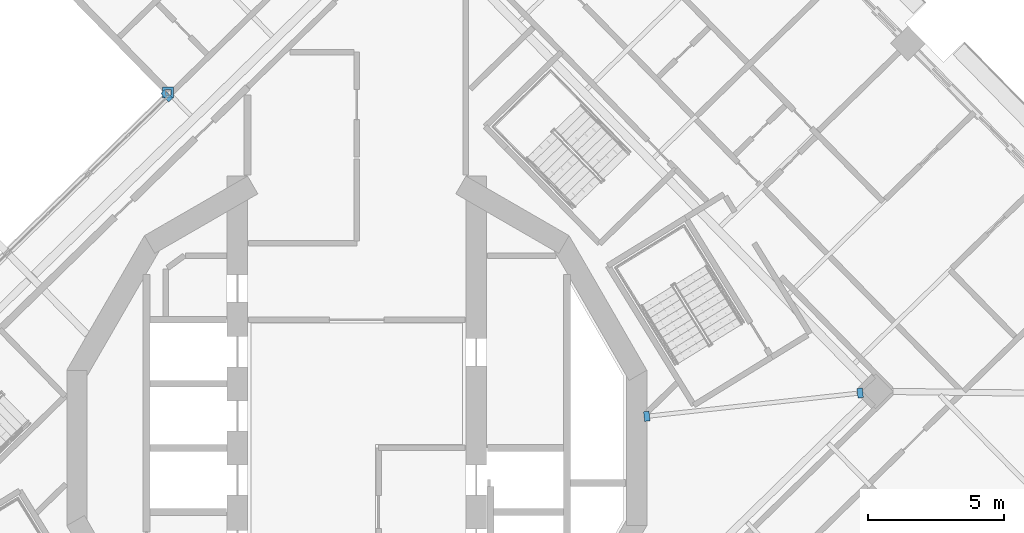
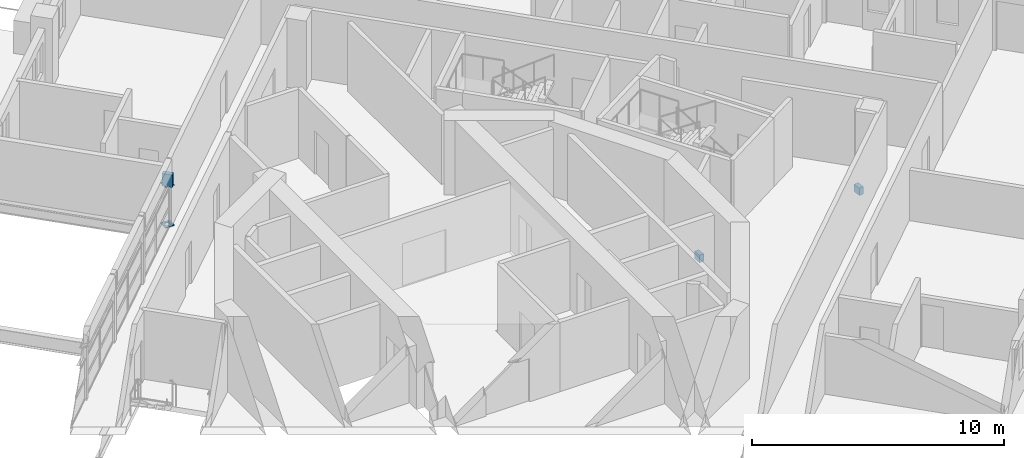
# One storey, part 15 of 21: 5 discrete accessories.
"""IFC4 building model written with IfcOpenShell, lengths in metres."""

import ifcopenshell
import ifcopenshell.guid

model = None  # the IFC model being written
_history = None  # IfcOwnerHistory: only IFC2X3 demands one
_inside = {}  # id of a spatial element -> (the spatial element, [elements in it])
_under = {}  # id of a project, library or spatial element -> (it, [spatial elements below it])
_declared = {}  # id of a project -> (the project, [libraries it declares])
_typed = {}  # id of a type object -> (the type object, [elements of that type])
_made_of = {}  # id of a material, layer set ... -> (it, [elements and type objects made of it])


def new_model(schema):
    """Start an empty IFC model of exactly this schema.

    Asked for "IFC4X3", IfcOpenShell would pick the latest addendum, in which some entities
    have other attributes; the version numbers below select the first issue.
    IFC2X3 requires an IfcOwnerHistory on every rooted entity: one is made here for all.
    """
    global model, _history
    if schema == "IFC4X3":
        model = ifcopenshell.file(schema_version=(4, 3, 0, 0))
    else:
        model = ifcopenshell.file(schema=schema)
    _inside.clear()
    _under.clear()
    _declared.clear()
    _typed.clear()
    _made_of.clear()
    _history = None
    if model.schema == "IFC2X3":
        org = make("IfcOrganization", Name="unknown")
        user = make(
            "IfcPersonAndOrganization",
            ThePerson=make("IfcPerson", FamilyName="unknown"),
            TheOrganization=org,
        )
        app = make(
            "IfcApplication",
            ApplicationDeveloper=org,
            Version="unknown",
            ApplicationFullName="unknown",
            ApplicationIdentifier="unknown",
        )
        _history = make(
            "IfcOwnerHistory",
            OwningUser=user,
            OwningApplication=app,
            ChangeAction="ADDED",
            CreationDate=0,
        )
    return model


def make(cls, **values):
    """One entity of the class cls with the attributes given. An attribute that is None is left unset."""
    return model.create_entity(
        cls, **{name: value for name, value in values.items() if value is not None}
    )


def rooted(cls, **values):
    """An entity with a GlobalId (a new one), such as an element, a storey or a relation."""
    return make(cls, GlobalId=ifcopenshell.guid.new(), OwnerHistory=_history, **values)


def si_unit(unit_type, name, prefix=None):
    """IfcSIUnit, for example si_unit("LENGTHUNIT", "METRE", prefix="MILLI")."""
    return make("IfcSIUnit", UnitType=unit_type, Prefix=prefix, Name=name)


def assignment(units):
    """IfcUnitAssignment: the units of a project."""
    return None if units is None else make("IfcUnitAssignment", Units=units)


def point(xyz):
    """IfcCartesianPoint."""
    return None if xyz is None else make("IfcCartesianPoint", Coordinates=xyz)


def direction(xyz):
    """IfcDirection."""
    return None if xyz is None else make("IfcDirection", DirectionRatios=xyz)


def frame(location, z_axis=None, x_axis=None):
    """IfcAxis2Placement3D, a coordinate frame: its origin and axes. An axis left out is left unset."""
    return make(
        "IfcAxis2Placement3D",
        Location=point(location),
        Axis=direction(z_axis),
        RefDirection=direction(x_axis),
    )


def origin():
    """The frame at (0, 0, 0) with its axes left unset."""
    return frame((0.0, 0.0, 0.0))


def place(relative_to, where):
    """IfcLocalPlacement: puts the frame where relative to a parent placement (None: the world)."""
    return make(
        "IfcLocalPlacement", PlacementRelTo=relative_to, RelativePlacement=where
    )


def context(
    kind, dimensions, precision=None, world=None, true_north=None, identifier=None
):
    """IfcGeometricRepresentationContext, for example the 3D "Model" context."""
    return make(
        "IfcGeometricRepresentationContext",
        ContextIdentifier=identifier,
        ContextType=kind,
        CoordinateSpaceDimension=dimensions,
        Precision=precision,
        WorldCoordinateSystem=world,
        TrueNorth=true_north,
    )


def subcontext(parent, identifier, kind, view, scale=None):
    """IfcGeometricRepresentationSubContext, for example "Body" below "Model"."""
    return make(
        "IfcGeometricRepresentationSubContext",
        ContextIdentifier=identifier,
        ContextType=kind,
        ParentContext=parent,
        TargetScale=scale,
        TargetView=view,
    )


def project(units=None, contexts=None):
    """IfcProject with its units and contexts."""
    return rooted(
        "IfcProject",
        Name="project",
        RepresentationContexts=contexts,
        UnitsInContext=assignment(units),
    )


def spatial(cls, under=None, at=None, **own):
    """A site, building, storey or space (cls), placed at a placement, below another one or the project."""
    s = rooted(cls, ObjectPlacement=at, **own)
    if under is not None:
        _under.setdefault(under.id(), (under, []))[1].append(s)
    return s


def polyline(points):
    """IfcPolyline through the points."""
    return make("IfcPolyline", Points=[point(p) for p in points])


def outline(outer, holes=None, kind="AREA"):
    """IfcArbitraryClosedProfileDef: a profile drawn as a closed curve; with holes, ...WithVoids."""
    if holes is None:
        return make("IfcArbitraryClosedProfileDef", ProfileType=kind, OuterCurve=outer)
    return make(
        "IfcArbitraryProfileDefWithVoids",
        ProfileType=kind,
        OuterCurve=outer,
        InnerCurves=holes,
    )


def extrude(swept, where, along, depth):
    """IfcExtrudedAreaSolid: the profile swept, set in the frame where, extruded along a direction by depth."""
    return make(
        "IfcExtrudedAreaSolid",
        SweptArea=swept,
        Position=where,
        ExtrudedDirection=direction(along),
        Depth=depth,
    )


def shape(context_of_items, identifier, shape_type, items):
    """IfcShapeRepresentation: the items that make up one representation, for example the "Body"."""
    return make(
        "IfcShapeRepresentation",
        ContextOfItems=context_of_items,
        RepresentationIdentifier=identifier,
        RepresentationType=shape_type,
        Items=items,
    )


def material(Name=None, Category=None):
    """IfcMaterial."""
    return make("IfcMaterial", Name=Name, Category=Category)


def layer(
    of_material, thickness, ventilated=None, Name=None, Category=None, Priority=None
):
    """IfcMaterialLayer: one layer of a wall or slab, of a material (None: an air gap)."""
    return make(
        "IfcMaterialLayer",
        Material=of_material,
        LayerThickness=thickness,
        IsVentilated=ventilated,
        Name=Name,
        Category=Category,
        Priority=Priority,
    )


def layer_set(layers, Name=None):
    """IfcMaterialLayerSet."""
    return make("IfcMaterialLayerSet", MaterialLayers=layers, LayerSetName=Name)


def made_of(thing, what):
    """Note that an element or type object is made of a material, layer set ...; save() writes the relation."""
    if what is not None:
        _made_of.setdefault(what.id(), (what, []))[1].append(thing)
    return thing


def type_object(cls, material=None, **own):
    """A type object (cls), such as IfcWallType, which elements share."""
    return made_of(rooted(cls, **own), material)


def element(
    cls,
    number,
    at=None,
    inside=None,
    cuts=None,
    type_object=None,
    material=None,
    context=None,
    identifier="Body",
    shape_type=None,
    held_by="IfcProductDefinitionShape",
    body=None,
    shapes=None,
    **own,
):
    """One element of the class cls, such as IfcWall. Its Tag is "e" and its number.

    at: its placement. inside: the storey or other place that contains it. cuts: it is an
    opening in that element (IfcRelVoidsElement). A single representation is given by context,
    identifier, shape_type and body (its items); several are given by shapes. held_by: the class
    of the entity that holds the representations. save() writes the other relations.
    """
    e = rooted(cls, Tag="e%d" % number, ObjectPlacement=at, **own)
    if body is not None:
        shapes = [shape(context, identifier, shape_type, body)]
    if shapes is not None:
        e.Representation = make(held_by, Representations=shapes)
    if inside is not None:
        _inside.setdefault(inside.id(), (inside, []))[1].append(e)
    if cuts is not None:
        rooted(
            "IfcRelVoidsElement", RelatingBuildingElement=cuts, RelatedOpeningElement=e
        )
    if type_object is not None:
        _typed.setdefault(type_object.id(), (type_object, []))[1].append(e)
    return made_of(e, material)


def aggregate(whole, parts):
    """IfcRelAggregates: a whole, such as a stair, and the parts it consists of."""
    return rooted("IfcRelAggregates", RelatingObject=whole, RelatedObjects=parts)


def save(model, path):
    """Write the relations noted so far, then the file.

    IfcRelAggregates (storeys below a building ...), IfcRelContainedInSpatialStructure (elements
    in a storey), IfcRelDefinesByType, IfcRelAssociatesMaterial and IfcRelDeclares: one each for
    every whole, place, type object, material and project.
    """
    for whole, parts in _under.values():
        aggregate(whole, parts)
    for where, things in _inside.values():
        rooted(
            "IfcRelContainedInSpatialStructure",
            RelatedElements=things,
            RelatingStructure=where,
        )
    for kind, things in _typed.values():
        rooted("IfcRelDefinesByType", RelatedObjects=things, RelatingType=kind)
    for what, things in _made_of.values():
        rooted("IfcRelAssociatesMaterial", RelatedObjects=things, RelatingMaterial=what)
    for by, libraries in _declared.values():
        rooted("IfcRelDeclares", RelatingContext=by, RelatedDefinitions=libraries)
    model.write(path)


model = new_model("IFC4")

# Units and contexts
model_context = context("Model", 3, precision=1e-05, world=origin(), true_north=direction((0.0, 1.0)))
body_context = subcontext(model_context, "Body", "Model", "MODEL_VIEW")
ifc_project = project(units=[si_unit("LENGTHUNIT", "METRE"), si_unit("AREAUNIT", "SQUARE_METRE"), si_unit("VOLUMEUNIT", "CUBIC_METRE"), si_unit("PLANEANGLEUNIT", "RADIAN"), si_unit("MASSUNIT", "GRAM", prefix="KILO")], contexts=[model_context])

# Site, building, storey
site_placement = place(None, origin())
site = spatial("IfcSite", under=ifc_project, at=site_placement, CompositionType="ELEMENT")
building_placement = place(site_placement, origin())
building = spatial("IfcBuilding", under=site, at=building_placement, Name="Cantera Rosa Tower", CompositionType="ELEMENT")
storey_placement = place(building_placement, frame((0.0, 0.0, 234.199951171875)))
storey = spatial("IfcBuildingStorey", under=building, at=storey_placement, Name="L51", CompositionType="ELEMENT", Elevation=234.199951171875)

# Discrete accessories
ifc_material = material(Name="Steel ASTM A992 (Fy 345 MPa)", Category="steel")
ifc_layer = layer(ifc_material, 0.0400390625)
ifc_layer_set = layer_set([ifc_layer], Name="STEEL BEARING PLATE 40")
discrete_accessory_type = type_object("IfcDiscreteAccessoryType", Name="STEEL BEARING PLATE 40", PredefinedType="ANCHORPLATE", material=ifc_layer_set)
discrete_accessory_1_placement = place(storey_placement, frame((0.0, 0.0, -0.659912109375)))
element("IfcDiscreteAccessory", 1, at=discrete_accessory_1_placement, inside=storey, type_object=discrete_accessory_type, Name="BEARING PLATE PG-Z4-01 end 1 L51", PredefinedType="ANCHORPLATE", context=body_context, shape_type="SweptSolid", body=[
    extrude(outline(polyline([(18.362548828125, 1.828125), (18.5615234375, 1.849853515625), (18.52294921875, 2.20166015625), (18.32421875, 2.179931640625), (18.362548828125, 1.828125)])), origin(), (0.0, 0.0, 1.0), 0.35986328125),
])
discrete_accessory_2_placement = place(storey_placement, frame((0.0, 0.0, -0.659912109375)))
element("IfcDiscreteAccessory", 2, at=discrete_accessory_2_placement, inside=storey, type_object=discrete_accessory_type, Name="BEARING PLATE PG-Z4-01 end 2 L51", PredefinedType="ANCHORPLATE", context=body_context, shape_type="SweptSolid", body=[
    extrude(outline(polyline([(10.705322265625, 1.34765625), (10.506591796875, 1.325927734375), (10.544921875, 0.97412109375), (10.743896484375, 0.99560546875), (10.705322265625, 1.34765625)])), origin(), (0.0, 0.0, 1.0), 0.35986328125),
])
for number, where, name in (
    (3, (0.0, 0.0, 0.0), "POST PLATE L51-1F"),
    (4, (0.0, 0.0, 1.949951171875), "POST PLATE L51-1T"),
):
    element("IfcDiscreteAccessory", number, at=place(storey_placement, frame(where)), inside=storey, type_object=discrete_accessory_type, Name=name, PredefinedType="ANCHORPLATE", context=body_context, shape_type="SweptSolid", body=[
        extrude(outline(polyline([(-7.11279296875, 12.828369140625), (-6.712890625, 12.828369140625), (-6.712890625, 13.228515625), (-7.11279296875, 13.228515625), (-7.11279296875, 12.828369140625)]), holes=[polyline([(-7.012939453125, 12.928466796875), (-6.81298828125, 12.928466796875), (-6.81298828125, 13.12841796875), (-7.012939453125, 13.12841796875), (-7.012939453125, 12.928466796875)])]), origin(), (0.0, 0.0, 1.0), 0.0400390625),
    ])
discrete_accessory_3_placement = place(storey_placement, frame((0.0, 0.0, 1.989990234375)))
element("IfcDiscreteAccessory", 5, at=discrete_accessory_3_placement, inside=storey, type_object=discrete_accessory_type, Name="LINTEL PLATE L51-1", PredefinedType="ANCHORPLATE", context=body_context, shape_type="SweptSolid", body=[
    extrude(outline(polyline([(-6.889404296875, 12.682373046875), (-6.746337890625, 12.822021484375), (-7.04541015625, 13.12841796875), (-7.1884765625, 12.988525390625), (-6.889404296875, 12.682373046875)])), origin(), (0.0, 0.0, 1.0), 0.60205078125),
])

save(model, "model.ifc")
